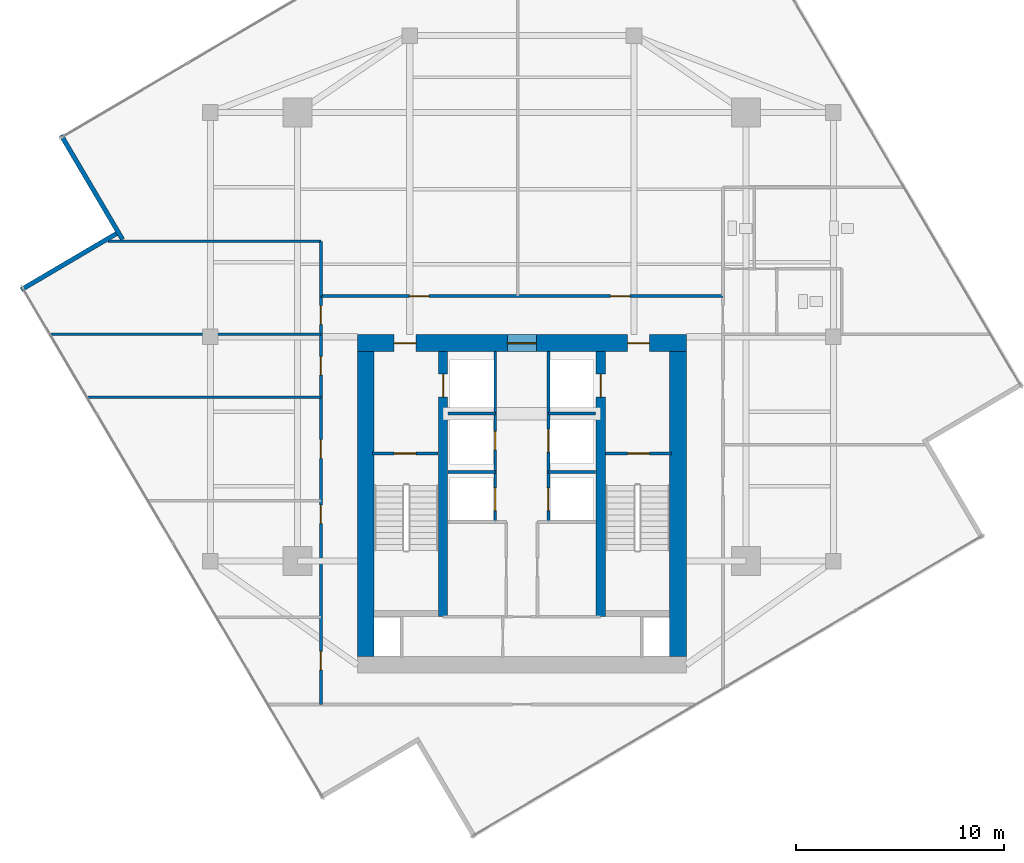
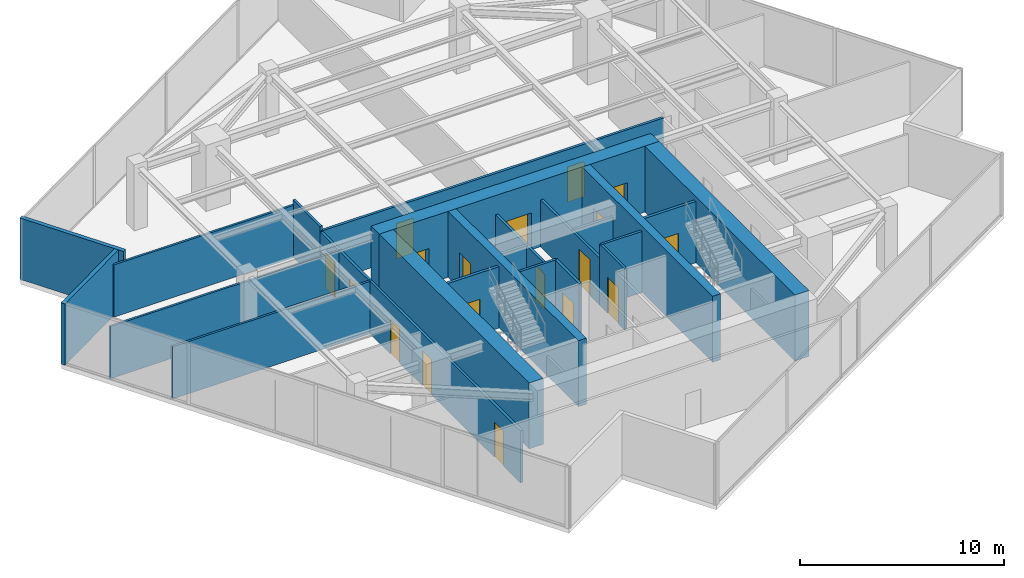
# One storey, part 17 of 20: 23 walls, 18 doors, 18 openings.
"""IFC4 building model written with IfcOpenShell, lengths in metres."""

import ifcopenshell
import ifcopenshell.guid

model = None  # the IFC model being written
_history = None  # IfcOwnerHistory: only IFC2X3 demands one
_inside = {}  # id of a spatial element -> (the spatial element, [elements in it])
_under = {}  # id of a project, library or spatial element -> (it, [spatial elements below it])
_declared = {}  # id of a project -> (the project, [libraries it declares])
_typed = {}  # id of a type object -> (the type object, [elements of that type])
_made_of = {}  # id of a material, layer set ... -> (it, [elements and type objects made of it])


def new_model(schema):
    """Start an empty IFC model of exactly this schema.

    Asked for "IFC4X3", IfcOpenShell would pick the latest addendum, in which some entities
    have other attributes; the version numbers below select the first issue.
    IFC2X3 requires an IfcOwnerHistory on every rooted entity: one is made here for all.
    """
    global model, _history
    if schema == "IFC4X3":
        model = ifcopenshell.file(schema_version=(4, 3, 0, 0))
    else:
        model = ifcopenshell.file(schema=schema)
    _inside.clear()
    _under.clear()
    _declared.clear()
    _typed.clear()
    _made_of.clear()
    _history = None
    if model.schema == "IFC2X3":
        org = make("IfcOrganization", Name="unknown")
        user = make(
            "IfcPersonAndOrganization",
            ThePerson=make("IfcPerson", FamilyName="unknown"),
            TheOrganization=org,
        )
        app = make(
            "IfcApplication",
            ApplicationDeveloper=org,
            Version="unknown",
            ApplicationFullName="unknown",
            ApplicationIdentifier="unknown",
        )
        _history = make(
            "IfcOwnerHistory",
            OwningUser=user,
            OwningApplication=app,
            ChangeAction="ADDED",
            CreationDate=0,
        )
    return model


def make(cls, **values):
    """One entity of the class cls with the attributes given. An attribute that is None is left unset."""
    return model.create_entity(
        cls, **{name: value for name, value in values.items() if value is not None}
    )


def rooted(cls, **values):
    """An entity with a GlobalId (a new one), such as an element, a storey or a relation."""
    return make(cls, GlobalId=ifcopenshell.guid.new(), OwnerHistory=_history, **values)


def si_unit(unit_type, name, prefix=None):
    """IfcSIUnit, for example si_unit("LENGTHUNIT", "METRE", prefix="MILLI")."""
    return make("IfcSIUnit", UnitType=unit_type, Prefix=prefix, Name=name)


def assignment(units):
    """IfcUnitAssignment: the units of a project."""
    return None if units is None else make("IfcUnitAssignment", Units=units)


def point(xyz):
    """IfcCartesianPoint."""
    return None if xyz is None else make("IfcCartesianPoint", Coordinates=xyz)


def direction(xyz):
    """IfcDirection."""
    return None if xyz is None else make("IfcDirection", DirectionRatios=xyz)


def frame(location, z_axis=None, x_axis=None):
    """IfcAxis2Placement3D, a coordinate frame: its origin and axes. An axis left out is left unset."""
    return make(
        "IfcAxis2Placement3D",
        Location=point(location),
        Axis=direction(z_axis),
        RefDirection=direction(x_axis),
    )


def frame_2d(location, x_axis=None):
    """IfcAxis2Placement2D, a coordinate frame in the plane: its origin and x axis."""
    return make(
        "IfcAxis2Placement2D", Location=point(location), RefDirection=direction(x_axis)
    )


def origin():
    """The frame at (0, 0, 0) with its axes left unset."""
    return frame((0.0, 0.0, 0.0))


def place(relative_to, where):
    """IfcLocalPlacement: puts the frame where relative to a parent placement (None: the world)."""
    return make(
        "IfcLocalPlacement", PlacementRelTo=relative_to, RelativePlacement=where
    )


def context(
    kind, dimensions, precision=None, world=None, true_north=None, identifier=None
):
    """IfcGeometricRepresentationContext, for example the 3D "Model" context."""
    return make(
        "IfcGeometricRepresentationContext",
        ContextIdentifier=identifier,
        ContextType=kind,
        CoordinateSpaceDimension=dimensions,
        Precision=precision,
        WorldCoordinateSystem=world,
        TrueNorth=true_north,
    )


def subcontext(parent, identifier, kind, view, scale=None):
    """IfcGeometricRepresentationSubContext, for example "Body" below "Model"."""
    return make(
        "IfcGeometricRepresentationSubContext",
        ContextIdentifier=identifier,
        ContextType=kind,
        ParentContext=parent,
        TargetScale=scale,
        TargetView=view,
    )


def project(units=None, contexts=None):
    """IfcProject with its units and contexts."""
    return rooted(
        "IfcProject",
        Name="project",
        RepresentationContexts=contexts,
        UnitsInContext=assignment(units),
    )


def spatial(cls, under=None, at=None, **own):
    """A site, building, storey or space (cls), placed at a placement, below another one or the project."""
    s = rooted(cls, ObjectPlacement=at, **own)
    if under is not None:
        _under.setdefault(under.id(), (under, []))[1].append(s)
    return s


def profile(cls, at=None, kind="AREA", **sizes):
    """A parametric profile (cls). Its sizes go by their IFC names, for example OverallWidth=200.0."""
    return make(cls, ProfileType=kind, Position=at, **sizes)


def rectangle(**sizes):
    """IfcRectangleProfileDef."""
    return profile("IfcRectangleProfileDef", **sizes)


def extrude(swept, where, along, depth):
    """IfcExtrudedAreaSolid: the profile swept, set in the frame where, extruded along a direction by depth."""
    return make(
        "IfcExtrudedAreaSolid",
        SweptArea=swept,
        Position=where,
        ExtrudedDirection=direction(along),
        Depth=depth,
    )


def shape(context_of_items, identifier, shape_type, items):
    """IfcShapeRepresentation: the items that make up one representation, for example the "Body"."""
    return make(
        "IfcShapeRepresentation",
        ContextOfItems=context_of_items,
        RepresentationIdentifier=identifier,
        RepresentationType=shape_type,
        Items=items,
    )


def material(Name=None, Category=None):
    """IfcMaterial."""
    return make("IfcMaterial", Name=Name, Category=Category)


def layer(
    of_material, thickness, ventilated=None, Name=None, Category=None, Priority=None
):
    """IfcMaterialLayer: one layer of a wall or slab, of a material (None: an air gap)."""
    return make(
        "IfcMaterialLayer",
        Material=of_material,
        LayerThickness=thickness,
        IsVentilated=ventilated,
        Name=Name,
        Category=Category,
        Priority=Priority,
    )


def layer_set(layers, Name=None):
    """IfcMaterialLayerSet."""
    return make("IfcMaterialLayerSet", MaterialLayers=layers, LayerSetName=Name)


def made_of(thing, what):
    """Note that an element or type object is made of a material, layer set ...; save() writes the relation."""
    if what is not None:
        _made_of.setdefault(what.id(), (what, []))[1].append(thing)
    return thing


def type_object(cls, material=None, **own):
    """A type object (cls), such as IfcWallType, which elements share."""
    return made_of(rooted(cls, **own), material)


def element(
    cls,
    number,
    at=None,
    inside=None,
    cuts=None,
    type_object=None,
    material=None,
    context=None,
    identifier="Body",
    shape_type=None,
    held_by="IfcProductDefinitionShape",
    body=None,
    shapes=None,
    **own,
):
    """One element of the class cls, such as IfcWall. Its Tag is "e" and its number.

    at: its placement. inside: the storey or other place that contains it. cuts: it is an
    opening in that element (IfcRelVoidsElement). A single representation is given by context,
    identifier, shape_type and body (its items); several are given by shapes. held_by: the class
    of the entity that holds the representations. save() writes the other relations.
    """
    e = rooted(cls, Tag="e%d" % number, ObjectPlacement=at, **own)
    if body is not None:
        shapes = [shape(context, identifier, shape_type, body)]
    if shapes is not None:
        e.Representation = make(held_by, Representations=shapes)
    if inside is not None:
        _inside.setdefault(inside.id(), (inside, []))[1].append(e)
    if cuts is not None:
        rooted(
            "IfcRelVoidsElement", RelatingBuildingElement=cuts, RelatedOpeningElement=e
        )
    if type_object is not None:
        _typed.setdefault(type_object.id(), (type_object, []))[1].append(e)
    return made_of(e, material)


def fill(opening, filler):
    """IfcRelFillsElement: the door or window that sits in an opening."""
    return rooted(
        "IfcRelFillsElement",
        RelatingOpeningElement=opening,
        RelatedBuildingElement=filler,
    )


def aggregate(whole, parts):
    """IfcRelAggregates: a whole, such as a stair, and the parts it consists of."""
    return rooted("IfcRelAggregates", RelatingObject=whole, RelatedObjects=parts)


def save(model, path):
    """Write the relations noted so far, then the file.

    IfcRelAggregates (storeys below a building ...), IfcRelContainedInSpatialStructure (elements
    in a storey), IfcRelDefinesByType, IfcRelAssociatesMaterial and IfcRelDeclares: one each for
    every whole, place, type object, material and project.
    """
    for whole, parts in _under.values():
        aggregate(whole, parts)
    for where, things in _inside.values():
        rooted(
            "IfcRelContainedInSpatialStructure",
            RelatedElements=things,
            RelatingStructure=where,
        )
    for kind, things in _typed.values():
        rooted("IfcRelDefinesByType", RelatedObjects=things, RelatingType=kind)
    for what, things in _made_of.values():
        rooted("IfcRelAssociatesMaterial", RelatedObjects=things, RelatingMaterial=what)
    for by, libraries in _declared.values():
        rooted("IfcRelDeclares", RelatingContext=by, RelatedDefinitions=libraries)
    model.write(path)


model = new_model("IFC4")

# Units and contexts
model_context = context("Model", 3, precision=1e-05, world=origin(), true_north=direction((0.0, 1.0)))
body_context = subcontext(model_context, "Body", "Model", "MODEL_VIEW")
ifc_project = project(units=[si_unit("LENGTHUNIT", "METRE"), si_unit("AREAUNIT", "SQUARE_METRE"), si_unit("VOLUMEUNIT", "CUBIC_METRE"), si_unit("PLANEANGLEUNIT", "RADIAN"), si_unit("MASSUNIT", "GRAM", prefix="KILO")], contexts=[model_context])

# Site, building, storey
site_placement = place(None, origin())
site = spatial("IfcSite", under=ifc_project, at=site_placement, CompositionType="ELEMENT")
building_placement = place(site_placement, origin())
building = spatial("IfcBuilding", under=site, at=building_placement, Name="Krantzveldt Concourse Tower", CompositionType="ELEMENT")
storey_placement = place(building_placement, frame((0.0, 0.0, 295.050048828125)))
storey = spatial("IfcBuildingStorey", under=building, at=storey_placement, Name="L72", CompositionType="ELEMENT", Elevation=295.050048828125)

# Walls
ifc_material_1 = material(Name="Anodised aluminium 6063-T6", Category="aluminium")
ifc_layer_1 = layer(ifc_material_1, 0.219970703125, Name="Anodised aluminium 6063-T6", Category="aluminium")
ifc_layer_set_1 = layer_set([ifc_layer_1], Name="Anodised aluminium 6063-T6 (WL-EXT-NOTCH220)")
wall_type_1 = type_object("IfcWallType", Name="WL-EXT-NOTCH220", PredefinedType="ELEMENTEDWALL", material=ifc_layer_set_1)
wall_1_placement = place(storey_placement, frame((13.81298828125, 36.407470703125, 0.0), z_axis=(0.0, 0.0, 1.0), x_axis=(0.507550761113, -0.861621857252, 0.0)))
element("IfcWall", 1, at=wall_1_placement, inside=storey, type_object=wall_type_1, Name="EW-L72-NCH02", PredefinedType="ELEMENTEDWALL", context=body_context, shape_type="SweptSolid", body=[
    extrude(rectangle(XDim=5.829833984375, YDim=0.219970703125, at=frame_2d((2.9150390625, 0.0))), origin(), (0.0, 0.0, 1.0), 3.669921875),
])
wall_2_placement = place(storey_placement, frame((16.476806640625, 31.668701171875, 0.0), z_axis=(0.0, 0.0, 1.0), x_axis=(-0.861627616465, -0.507540984104, 0.0)))
element("IfcWall", 2, at=wall_2_placement, inside=storey, type_object=wall_type_1, Name="EW-L72-NCH03", PredefinedType="ELEMENTEDWALL", context=body_context, shape_type="SweptSolid", body=[
    extrude(rectangle(XDim=5.324951171875, YDim=0.219970703125, at=frame_2d((2.66259765625, 0.0))), origin(), (0.0, 0.0, 1.0), 3.669921875),
])
ifc_material_2 = material(Name="Fire-rated gypsum plasterboard on steel stud", Category="steel")
ifc_layer_2 = layer(ifc_material_2, 0.1201171875, Name="Fire-rated gypsum plasterboard on steel stud", Category="steel")
ifc_layer_set_2 = layer_set([ifc_layer_2], Name="Fire-rated gypsum plasterboard on steel stud (WL-PART-120)")
wall_type_2 = type_object("IfcWallType", Name="WL-PART-120", PredefinedType="PARTITIONING", material=ifc_layer_set_2)
wall_3_placement = place(storey_placement, frame((13.2861328125, 26.820068359375, 0.0), z_axis=(0.0, 0.0, 1.0), x_axis=(1.0, 0.0, 0.0)))
element("IfcWall", 3, at=wall_3_placement, inside=storey, type_object=wall_type_2, Name="WP-L72-PNTS", PredefinedType="PARTITIONING", context=body_context, shape_type="SweptSolid", body=[
    extrude(rectangle(XDim=13.033935546875, YDim=0.1201171875, at=frame_2d((6.51708984375, 0.0))), origin(), (0.0, 0.0, 1.0), 3.1298828125),
])
wall_4_placement = place(storey_placement, frame((16.077392578125, 31.300048828125, 0.0), z_axis=(0.0, 0.0, 1.0), x_axis=(1.0, 0.0, 0.0)))
element("IfcWall", 4, at=wall_4_placement, inside=storey, type_object=wall_type_2, Name="WP-L72-PNTN", PredefinedType="PARTITIONING", context=body_context, shape_type="SweptSolid", body=[
    extrude(rectangle(XDim=10.24267578125, YDim=0.1201171875, at=frame_2d((5.121337890625, 0.0))), origin(), (0.0, 0.0, 1.0), 3.1298828125),
])
wall_5_placement = place(storey_placement, frame((15.065185546875, 23.800048828125, 0.0), z_axis=(0.0, 0.0, 1.0), x_axis=(1.0, 0.0, 0.0)))
element("IfcWall", 5, at=wall_5_placement, inside=storey, type_object=wall_type_2, Name="WP-L72-WD3", PredefinedType="PARTITIONING", context=body_context, shape_type="SweptSolid", body=[
    extrude(rectangle(XDim=11.2548828125, YDim=0.1201171875, at=frame_2d((5.62744140625, 0.0))), origin(), (0.0, 0.0, 1.0), 3.1298828125),
])

# Wall, openings, doors
ifc_layer_3 = layer(ifc_material_2, 0.139892578125, Name="Fire-rated gypsum plasterboard on steel stud", Category="steel")
ifc_layer_set_3 = layer_set([ifc_layer_3], Name="Fire-rated gypsum plasterboard on steel stud (WL-PART-140)")
wall_type_3 = type_object("IfcWallType", Name="WL-PART-140", PredefinedType="PARTITIONING", material=ifc_layer_set_3)
wall_6_placement = place(storey_placement, frame((26.320068359375, 28.659912109375, 0.0), z_axis=(0.0, 0.0, 1.0), x_axis=(1.0, 0.0, 0.0)))
wall_6 = element("IfcWall", 6, at=wall_6_placement, inside=storey, type_object=wall_type_3, Name="WP-L72-CNHDR", PredefinedType="PARTITIONING", context=body_context, shape_type="SweptSolid", body=[
    extrude(rectangle(XDim=19.35986328125, YDim=0.139892578125, at=frame_2d((9.679931640625, 0.0))), origin(), (0.0, 0.0, 1.0), 3.179931640625),
])
opening_1_placement = place(wall_6_placement, frame((4.264892578125, 0.0, 0.0)))
opening_1 = element("IfcOpeningElement", 7, at=opening_1_placement, cuts=wall_6, Name="Opening D-IN095", PredefinedType="OPENING", context=body_context, shape_type="SweptSolid", body=[
    extrude(rectangle(XDim=0.949951171875, YDim=2.10009765625, at=frame_2d((0.47509765625, 1.050048828125))), frame((0.0, 0.080078125, 0.0), z_axis=(0.0, -1.0, 0.0), x_axis=(1.0, 0.0, 0.0)), (0.0, 0.0, 1.0), 0.159912109375),
])
opening_2_placement = place(wall_6_placement, frame((13.945068359375, 0.0, 0.0)))
opening_2 = element("IfcOpeningElement", 8, at=opening_2_placement, cuts=wall_6, Name="Opening D-IN095", PredefinedType="OPENING", context=body_context, shape_type="SweptSolid", body=[
    extrude(rectangle(XDim=0.949951171875, YDim=2.10009765625, at=frame_2d((0.47509765625, 1.050048828125))), frame((0.0, 0.080078125, 0.0), z_axis=(0.0, -1.0, 0.0), x_axis=(1.0, 0.0, 0.0)), (0.0, 0.0, 1.0), 0.159912109375),
])
ifc_material_3 = material(Name="Hardwood timber", Category="wood")
door_type_1 = type_object("IfcDoorType", Name="DR-INT-950", OperationType="SINGLE_SWING_LEFT", PredefinedType="DOOR", material=ifc_material_3)
door_1_placement = place(opening_1_placement, origin())
door_1 = element("IfcDoor", 9, at=door_1_placement, inside=storey, type_object=door_type_1, Name="DR-L72-NR1", OperationType="SINGLE_SWING_LEFT", OverallHeight=2.10009765625, OverallWidth=0.949951171875, PredefinedType="DOOR", context=body_context, shape_type="SweptSolid", body=[
    extrude(rectangle(XDim=0.949951171875, YDim=2.10009765625, at=frame_2d((0.47509765625, 1.050048828125))), frame((0.0, 0.02490234375, 0.0), z_axis=(0.0, -1.0, 0.0), x_axis=(1.0, 0.0, 0.0)), (0.0, 0.0, 1.0), 0.050048828125),
])
fill(opening_1, door_1)
door_2_placement = place(opening_2_placement, origin())
door_2 = element("IfcDoor", 10, at=door_2_placement, inside=storey, type_object=door_type_1, Name="DR-L72-NR2", OperationType="SINGLE_SWING_LEFT", OverallHeight=2.10009765625, OverallWidth=0.949951171875, PredefinedType="DOOR", context=body_context, shape_type="SweptSolid", body=[
    extrude(rectangle(XDim=0.949951171875, YDim=2.10009765625, at=frame_2d((0.47509765625, 1.050048828125))), frame((0.0, 0.02490234375, 0.0), z_axis=(0.0, -1.0, 0.0), x_axis=(1.0, 0.0, 0.0)), (0.0, 0.0, 1.0), 0.050048828125),
])
fill(opening_2, door_2)

wall_7_placement = place(storey_placement, frame((26.320068359375, 9.0, 0.0), z_axis=(0.0, 0.0, 1.0), x_axis=(0.0, 1.0, 0.0)))
wall_7 = element("IfcWall", 11, at=wall_7_placement, inside=storey, type_object=wall_type_3, Name="WP-L72-CWEST", PredefinedType="PARTITIONING", context=body_context, shape_type="SweptSolid", body=[
    extrude(rectangle(XDim=19.659912109375, YDim=0.139892578125, at=frame_2d((9.830078125, 0.0))), origin(), (0.0, 0.0, 1.0), 3.1298828125),
])
opening_3_placement = place(wall_7_placement, frame((18.300048828125, 0.0, 0.0)))
opening_3 = element("IfcOpeningElement", 12, at=opening_3_placement, cuts=wall_7, Name="Opening D-IN090", PredefinedType="OPENING", context=body_context, shape_type="SweptSolid", body=[
    extrude(rectangle(XDim=0.89990234375, YDim=2.10009765625, at=frame_2d((0.449951171875, 1.050048828125))), frame((0.0, 0.080078125, 0.0), z_axis=(0.0, -1.0, 0.0), x_axis=(1.0, 0.0, 0.0)), (0.0, 0.0, 1.0), 0.159912109375),
])
opening_4_placement = place(wall_7_placement, frame((1.64990234375, 0.0, 0.0)))
opening_4 = element("IfcOpeningElement", 13, at=opening_4_placement, cuts=wall_7, Name="Opening D-IN090", PredefinedType="OPENING", context=body_context, shape_type="SweptSolid", body=[
    extrude(rectangle(XDim=0.89990234375, YDim=2.10009765625, at=frame_2d((0.449951171875, 1.050048828125))), frame((0.0, 0.080078125, 0.0), z_axis=(0.0, -1.0, 0.0), x_axis=(1.0, 0.0, 0.0)), (0.0, 0.0, 1.0), 0.159912109375),
])
opening_5_placement = place(wall_7_placement, frame((8.699951171875, 0.0, 0.0)))
opening_5 = element("IfcOpeningElement", 14, at=opening_5_placement, cuts=wall_7, Name="Opening D-IN090", PredefinedType="OPENING", context=body_context, shape_type="SweptSolid", body=[
    extrude(rectangle(XDim=0.89990234375, YDim=2.10009765625, at=frame_2d((0.449951171875, 1.050048828125))), frame((0.0, 0.080078125, 0.0), z_axis=(0.0, -1.0, 0.0), x_axis=(1.0, 0.0, 0.0)), (0.0, 0.0, 1.0), 0.159912109375),
])
opening_6_placement = place(wall_7_placement, frame((11.85009765625, 0.0, 0.0)))
opening_6 = element("IfcOpeningElement", 15, at=opening_6_placement, cuts=wall_7, Name="Opening D-IN090", PredefinedType="OPENING", context=body_context, shape_type="SweptSolid", body=[
    extrude(rectangle(XDim=0.89990234375, YDim=2.10009765625, at=frame_2d((0.449951171875, 1.050048828125))), frame((0.0, 0.080078125, 0.0), z_axis=(0.0, -1.0, 0.0), x_axis=(1.0, 0.0, 0.0)), (0.0, 0.0, 1.0), 0.159912109375),
])
opening_7_placement = place(wall_7_placement, frame((15.860107421875, 0.0, 0.0)))
opening_7 = element("IfcOpeningElement", 16, at=opening_7_placement, cuts=wall_7, Name="Opening D-IN090", PredefinedType="OPENING", context=body_context, shape_type="SweptSolid", body=[
    extrude(rectangle(XDim=0.89990234375, YDim=2.10009765625, at=frame_2d((0.449951171875, 1.050048828125))), frame((0.0, 0.080078125, 0.0), z_axis=(0.0, -1.0, 0.0), x_axis=(1.0, 0.0, 0.0)), (0.0, 0.0, 1.0), 0.159912109375),
])
door_type_2 = type_object("IfcDoorType", Name="DR-INT-900", OperationType="SINGLE_SWING_LEFT", PredefinedType="DOOR", material=ifc_material_3)
door_3_placement = place(opening_3_placement, origin())
door_3 = element("IfcDoor", 17, at=door_3_placement, inside=storey, type_object=door_type_2, Name="DR-L72-PNT", OperationType="SINGLE_SWING_LEFT", OverallHeight=2.10009765625, OverallWidth=0.89990234375, PredefinedType="DOOR", context=body_context, shape_type="SweptSolid", body=[
    extrude(rectangle(XDim=0.89990234375, YDim=2.10009765625, at=frame_2d((0.449951171875, 1.050048828125))), frame((0.0, 0.02490234375, 0.0), z_axis=(0.0, -1.0, 0.0), x_axis=(1.0, 0.0, 0.0)), (0.0, 0.0, 1.0), 0.050048828125),
])
fill(opening_3, door_3)
door_4_placement = place(opening_4_placement, origin())
door_4 = element("IfcDoor", 18, at=door_4_placement, inside=storey, type_object=door_type_2, Name="DR-L72-WR1", OperationType="SINGLE_SWING_LEFT", OverallHeight=2.10009765625, OverallWidth=0.89990234375, PredefinedType="DOOR", context=body_context, shape_type="SweptSolid", body=[
    extrude(rectangle(XDim=0.89990234375, YDim=2.10009765625, at=frame_2d((0.449951171875, 1.050048828125))), frame((0.0, 0.02490234375, 0.0), z_axis=(0.0, -1.0, 0.0), x_axis=(1.0, 0.0, 0.0)), (0.0, 0.0, 1.0), 0.050048828125),
])
fill(opening_4, door_4)
door_5_placement = place(opening_5_placement, origin())
door_5 = element("IfcDoor", 19, at=door_5_placement, inside=storey, type_object=door_type_2, Name="DR-L72-WR2", OperationType="SINGLE_SWING_LEFT", OverallHeight=2.10009765625, OverallWidth=0.89990234375, PredefinedType="DOOR", context=body_context, shape_type="SweptSolid", body=[
    extrude(rectangle(XDim=0.89990234375, YDim=2.10009765625, at=frame_2d((0.449951171875, 1.050048828125))), frame((0.0, 0.02490234375, 0.0), z_axis=(0.0, -1.0, 0.0), x_axis=(1.0, 0.0, 0.0)), (0.0, 0.0, 1.0), 0.050048828125),
])
fill(opening_5, door_5)
door_6_placement = place(opening_6_placement, origin())
door_6 = element("IfcDoor", 20, at=door_6_placement, inside=storey, type_object=door_type_2, Name="DR-L72-WR3", OperationType="SINGLE_SWING_LEFT", OverallHeight=2.10009765625, OverallWidth=0.89990234375, PredefinedType="DOOR", context=body_context, shape_type="SweptSolid", body=[
    extrude(rectangle(XDim=0.89990234375, YDim=2.10009765625, at=frame_2d((0.449951171875, 1.050048828125))), frame((0.0, 0.02490234375, 0.0), z_axis=(0.0, -1.0, 0.0), x_axis=(1.0, 0.0, 0.0)), (0.0, 0.0, 1.0), 0.050048828125),
])
fill(opening_6, door_6)
door_7_placement = place(opening_7_placement, origin())
door_7 = element("IfcDoor", 21, at=door_7_placement, inside=storey, type_object=door_type_2, Name="DR-L72-WR4", OperationType="SINGLE_SWING_LEFT", OverallHeight=2.10009765625, OverallWidth=0.89990234375, PredefinedType="DOOR", context=body_context, shape_type="SweptSolid", body=[
    extrude(rectangle(XDim=0.89990234375, YDim=2.10009765625, at=frame_2d((0.449951171875, 1.050048828125))), frame((0.0, 0.02490234375, 0.0), z_axis=(0.0, -1.0, 0.0), x_axis=(1.0, 0.0, 0.0)), (0.0, 0.0, 1.0), 0.050048828125),
])
fill(opening_7, door_7)

# Wall
wall_8_placement = place(storey_placement, frame((26.320068359375, 28.659912109375, 0.0), z_axis=(0.0, 0.0, 1.0), x_axis=(0.0, 1.0, 0.0)))
element("IfcWall", 22, at=wall_8_placement, inside=storey, type_object=wall_type_3, Name="WP-L72-NWL", PredefinedType="PARTITIONING", context=body_context, shape_type="SweptSolid", body=[
    extrude(rectangle(XDim=2.64013671875, YDim=0.139892578125, at=frame_2d((1.320068359375, 0.0))), origin(), (0.0, 0.0, 1.0), 3.429931640625),
])

# Wall, opening, door
ifc_layer_4 = layer(ifc_material_2, 0.139892578125, Name="Fire-rated gypsum plasterboard on steel stud", Category="steel")
ifc_layer_set_4 = layer_set([ifc_layer_4], Name="Fire-rated gypsum plasterboard on steel stud (WL-PART-FR140)")
wall_type_4 = type_object("IfcWallType", Name="WL-PART-FR140", PredefinedType="PARTITIONING", material=ifc_layer_set_4)
wall_9_placement = place(storey_placement, frame((34.719970703125, 20.199951171875, 0.0), z_axis=(0.0, 0.0, 1.0), x_axis=(0.0, 1.0, 0.0)))
wall_9 = element("IfcWall", 23, at=wall_9_placement, inside=storey, type_object=wall_type_4, Name="WP-L72-SHNW", PredefinedType="PARTITIONING", context=body_context, shape_type="SweptSolid", body=[
    extrude(rectangle(XDim=5.780029296875, YDim=0.139892578125, at=frame_2d((2.89013671875, 0.0))), origin(), (0.0, 0.0, 1.0), 2.820068359375),
])
opening_8_placement = place(wall_9_placement, frame((1.050048828125, 0.0, 0.0)))
opening_8 = element("IfcOpeningElement", 24, at=opening_8_placement, cuts=wall_9, Name="Opening D-FD090", PredefinedType="OPENING", context=body_context, shape_type="SweptSolid", body=[
    extrude(rectangle(XDim=0.89990234375, YDim=2.10009765625, at=frame_2d((0.449951171875, 1.050048828125))), frame((0.0, 0.080078125, 0.0), z_axis=(0.0, -1.0, 0.0), x_axis=(1.0, 0.0, 0.0)), (0.0, 0.0, 1.0), 0.159912109375),
])
door_type_3 = type_object("IfcDoorType", Name="DR-FD60-900", OperationType="SINGLE_SWING_LEFT", PredefinedType="DOOR", material=ifc_material_3)
door_8_placement = place(opening_8_placement, origin())
door_8 = element("IfcDoor", 25, at=door_8_placement, inside=storey, type_object=door_type_3, Name="Electrical Riser Access Door L72", OperationType="SINGLE_SWING_LEFT", OverallHeight=2.10009765625, OverallWidth=0.89990234375, PredefinedType="DOOR", context=body_context, shape_type="SweptSolid", body=[
    extrude(rectangle(XDim=0.89990234375, YDim=2.10009765625, at=frame_2d((0.449951171875, 1.050048828125))), frame((0.0, 0.02490234375, 0.0), z_axis=(0.0, -1.0, 0.0), x_axis=(1.0, 0.0, 0.0)), (0.0, 0.0, 1.0), 0.050048828125),
])
fill(opening_8, door_8)

wall_10_placement = place(storey_placement, frame((37.280029296875, 20.199951171875, 0.0), z_axis=(0.0, 0.0, 1.0), x_axis=(0.0, 1.0, 0.0)))
wall_10 = element("IfcWall", 26, at=wall_10_placement, inside=storey, type_object=wall_type_4, Name="WP-L72-SHNE", PredefinedType="PARTITIONING", context=body_context, shape_type="SweptSolid", body=[
    extrude(rectangle(XDim=5.780029296875, YDim=0.139892578125, at=frame_2d((2.89013671875, 0.0))), origin(), (0.0, 0.0, 1.0), 2.820068359375),
])
opening_9_placement = place(wall_10_placement, frame((0.949951171875, 0.0, 0.0)))
opening_9 = element("IfcOpeningElement", 27, at=opening_9_placement, cuts=wall_10, Name="Opening LD", PredefinedType="OPENING", context=body_context, shape_type="SweptSolid", body=[
    extrude(rectangle(XDim=1.10009765625, YDim=2.14990234375, at=frame_2d((0.550048828125, 1.074951171875))), frame((0.0, 0.080078125, 0.0), z_axis=(0.0, -1.0, 0.0), x_axis=(1.0, 0.0, 0.0)), (0.0, 0.0, 1.0), 0.159912109375),
])
ifc_material_4 = material(Name="Stainless steel 316L", Category="steel")
door_type_4 = type_object("IfcDoorType", Name="DR-SLIDE-LD1100", OperationType="DOUBLE_DOOR_SLIDING", PredefinedType="DOOR", material=ifc_material_4)
door_9_placement = place(opening_9_placement, origin())
door_9 = element("IfcDoor", 28, at=door_9_placement, inside=storey, type_object=door_type_4, Name="LD-L72-GL1", OperationType="DOUBLE_DOOR_SLIDING", OverallHeight=2.14990234375, OverallWidth=1.10009765625, PredefinedType="DOOR", context=body_context, shape_type="SweptSolid", body=[
    extrude(rectangle(XDim=1.10009765625, YDim=2.14990234375, at=frame_2d((0.550048828125, 1.074951171875))), frame((0.0, 0.02490234375, 0.0), z_axis=(0.0, -1.0, 0.0), x_axis=(1.0, 0.0, 0.0)), (0.0, 0.0, 1.0), 0.050048828125),
])
fill(opening_9, door_9)

# Walls
for number, where, z_axis, x_axis, name in (
    (29, (32.449951171875, 23.0, 0.0), (0.0, 0.0, 1.0), (1.0, 0.0, 0.0), "WP-L72-RISH"),
    (30, (37.280029296875, 23.0, 0.0), (0.0, 0.0, 1.0), (1.0, 0.0, 0.0), "WP-L72-GLH"),
):
    element("IfcWall", number, at=place(storey_placement, frame(where, z_axis=z_axis, x_axis=x_axis)), inside=storey, type_object=wall_type_4, Name=name, PredefinedType="PARTITIONING", context=body_context, shape_type="SweptSolid", body=[
        extrude(rectangle(XDim=2.27001953125, YDim=0.139892578125, at=frame_2d((1.135009765625, 0.0))), origin(), (0.0, 0.0, 1.0), 2.820068359375),
    ])

# Wall, opening, door
wall_11_placement = place(storey_placement, frame((34.719970703125, 17.780029296875, 0.0), z_axis=(0.0, 0.0, 1.0), x_axis=(0.0, 1.0, 0.0)))
wall_11 = element("IfcWall", 31, at=wall_11_placement, inside=storey, type_object=wall_type_4, Name="WP-L72-SHNW2", PredefinedType="PARTITIONING", context=body_context, shape_type="SweptSolid", body=[
    extrude(rectangle(XDim=2.419921875, YDim=0.139892578125, at=frame_2d((1.2099609375, 0.0))), origin(), (0.0, 0.0, 1.0), 3.669921875),
])
opening_10_placement = place(wall_11_placement, frame((0.550048828125, 0.0, 0.0)))
opening_10 = element("IfcOpeningElement", 32, at=opening_10_placement, cuts=wall_11, Name="Opening LD", PredefinedType="OPENING", context=body_context, shape_type="SweptSolid", body=[
    extrude(rectangle(XDim=1.10009765625, YDim=2.14990234375, at=frame_2d((0.550048828125, 1.074951171875))), frame((0.0, 0.080078125, 0.0), z_axis=(0.0, -1.0, 0.0), x_axis=(1.0, 0.0, 0.0)), (0.0, 0.0, 1.0), 0.159912109375),
])
door_10_placement = place(opening_10_placement, origin())
door_10 = element("IfcDoor", 33, at=door_10_placement, inside=storey, type_object=door_type_4, Name="LD-L72-PH1", OperationType="DOUBLE_DOOR_SLIDING", OverallHeight=2.14990234375, OverallWidth=1.10009765625, PredefinedType="DOOR", context=body_context, shape_type="SweptSolid", body=[
    extrude(rectangle(XDim=1.10009765625, YDim=2.14990234375, at=frame_2d((0.550048828125, 1.074951171875))), frame((0.0, 0.02490234375, 0.0), z_axis=(0.0, -1.0, 0.0), x_axis=(1.0, 0.0, 0.0)), (0.0, 0.0, 1.0), 0.050048828125),
])
fill(opening_10, door_10)

wall_12_placement = place(storey_placement, frame((37.280029296875, 17.780029296875, 0.0), z_axis=(0.0, 0.0, 1.0), x_axis=(0.0, 1.0, 0.0)))
wall_12 = element("IfcWall", 34, at=wall_12_placement, inside=storey, type_object=wall_type_4, Name="WP-L72-SHNE2", PredefinedType="PARTITIONING", context=body_context, shape_type="SweptSolid", body=[
    extrude(rectangle(XDim=2.419921875, YDim=0.139892578125, at=frame_2d((1.2099609375, 0.0))), origin(), (0.0, 0.0, 1.0), 3.669921875),
])
opening_11_placement = place(wall_12_placement, frame((0.550048828125, 0.0, 0.0)))
opening_11 = element("IfcOpeningElement", 35, at=opening_11_placement, cuts=wall_12, Name="Opening LD", PredefinedType="OPENING", context=body_context, shape_type="SweptSolid", body=[
    extrude(rectangle(XDim=1.10009765625, YDim=2.14990234375, at=frame_2d((0.550048828125, 1.074951171875))), frame((0.0, 0.080078125, 0.0), z_axis=(0.0, -1.0, 0.0), x_axis=(1.0, 0.0, 0.0)), (0.0, 0.0, 1.0), 0.159912109375),
])
door_11_placement = place(opening_11_placement, origin())
door_11 = element("IfcDoor", 36, at=door_11_placement, inside=storey, type_object=door_type_4, Name="LD-L72-PH2", OperationType="DOUBLE_DOOR_SLIDING", OverallHeight=2.14990234375, OverallWidth=1.10009765625, PredefinedType="DOOR", context=body_context, shape_type="SweptSolid", body=[
    extrude(rectangle(XDim=1.10009765625, YDim=2.14990234375, at=frame_2d((0.550048828125, 1.074951171875))), frame((0.0, 0.02490234375, 0.0), z_axis=(0.0, -1.0, 0.0), x_axis=(1.0, 0.0, 0.0)), (0.0, 0.0, 1.0), 0.050048828125),
])
fill(opening_11, door_11)

# Walls
for number, where, z_axis, x_axis, name in (
    (37, (32.449951171875, 20.179931640625, 0.0), (0.0, 0.0, 1.0), (1.0, 0.0, 0.0), "WP-L72-DIVW3"),
    (38, (37.280029296875, 20.179931640625, 0.0), (0.0, 0.0, 1.0), (1.0, 0.0, 0.0), "WP-L72-DIVE3"),
):
    element("IfcWall", number, at=place(storey_placement, frame(where, z_axis=z_axis, x_axis=x_axis)), inside=storey, type_object=wall_type_4, Name=name, PredefinedType="PARTITIONING", context=body_context, shape_type="SweptSolid", body=[
        extrude(rectangle(XDim=2.27001953125, YDim=0.139892578125, at=frame_2d((1.135009765625, 0.0))), origin(), (0.0, 0.0, 1.0), 3.669921875),
    ])

# Wall, opening, door
ifc_layer_5 = layer(ifc_material_2, 0.159912109375, Name="Fire-rated gypsum plasterboard on steel stud", Category="steel")
ifc_layer_set_5 = layer_set([ifc_layer_5], Name="Fire-rated gypsum plasterboard on steel stud (WL-PART-FR160)")
wall_type_5 = type_object("IfcWallType", Name="WL-PART-FR160", PredefinedType="PARTITIONING", material=ifc_layer_set_5)
wall_13_placement = place(storey_placement, frame((28.800048828125, 21.080078125, 0.0), z_axis=(0.0, 0.0, 1.0), x_axis=(1.0, 0.0, 0.0)))
wall_13 = element("IfcWall", 39, at=wall_13_placement, inside=storey, type_object=wall_type_5, Name="WP-L72-ST1", PredefinedType="PARTITIONING", context=body_context, shape_type="SweptSolid", body=[
    extrude(rectangle(XDim=3.159912109375, YDim=0.159912109375, at=frame_2d((1.580078125, 0.0))), origin(), (0.0, 0.0, 1.0), 3.669921875),
])
opening_12_placement = place(wall_13_placement, frame((1.054931640625, 0.0, 0.0)))
opening_12 = element("IfcOpeningElement", 40, at=opening_12_placement, cuts=wall_13, Name="Opening D-FD105", PredefinedType="OPENING", context=body_context, shape_type="SweptSolid", body=[
    extrude(rectangle(XDim=1.050048828125, YDim=2.10009765625, at=frame_2d((0.52490234375, 1.050048828125))), frame((0.0, 0.08984375, 0.0), z_axis=(0.0, -1.0, 0.0), x_axis=(1.0, 0.0, 0.0)), (0.0, 0.0, 1.0), 0.179931640625),
])
ifc_material_5 = material(Name="Galvanised steel", Category="steel")
door_type_5 = type_object("IfcDoorType", Name="DR-FD120-1050", OperationType="SINGLE_SWING_LEFT", PredefinedType="DOOR", material=ifc_material_5)
door_12_placement = place(opening_12_placement, origin())
door_12 = element("IfcDoor", 41, at=door_12_placement, inside=storey, type_object=door_type_5, Name="DR-L72-ST1", OperationType="SINGLE_SWING_RIGHT", OverallHeight=2.10009765625, OverallWidth=1.050048828125, PredefinedType="DOOR", context=body_context, shape_type="SweptSolid", body=[
    extrude(rectangle(XDim=1.050048828125, YDim=2.10009765625, at=frame_2d((0.52490234375, 1.050048828125))), frame((0.0, 0.02490234375, 0.0), z_axis=(0.0, -1.0, 0.0), x_axis=(1.0, 0.0, 0.0)), (0.0, 0.0, 1.0), 0.050048828125),
])
fill(opening_12, door_12)

wall_14_placement = place(storey_placement, frame((40.0400390625, 21.080078125, 0.0), z_axis=(0.0, 0.0, 1.0), x_axis=(1.0, 0.0, 0.0)))
wall_14 = element("IfcWall", 42, at=wall_14_placement, inside=storey, type_object=wall_type_5, Name="WP-L72-ST2", PredefinedType="PARTITIONING", context=body_context, shape_type="SweptSolid", body=[
    extrude(rectangle(XDim=3.159912109375, YDim=0.159912109375, at=frame_2d((1.580078125, 0.0))), origin(), (0.0, 0.0, 1.0), 3.669921875),
])
opening_13_placement = place(wall_14_placement, frame((1.054931640625, 0.0, 0.0)))
opening_13 = element("IfcOpeningElement", 43, at=opening_13_placement, cuts=wall_14, Name="Opening D-FD105", PredefinedType="OPENING", context=body_context, shape_type="SweptSolid", body=[
    extrude(rectangle(XDim=1.050048828125, YDim=2.10009765625, at=frame_2d((0.52490234375, 1.050048828125))), frame((0.0, 0.08984375, 0.0), z_axis=(0.0, -1.0, 0.0), x_axis=(1.0, 0.0, 0.0)), (0.0, 0.0, 1.0), 0.179931640625),
])
door_13_placement = place(opening_13_placement, origin())
door_13 = element("IfcDoor", 44, at=door_13_placement, inside=storey, type_object=door_type_5, Name="DR-L72-ST2", OperationType="SINGLE_SWING_LEFT", OverallHeight=2.10009765625, OverallWidth=1.050048828125, PredefinedType="DOOR", context=body_context, shape_type="SweptSolid", body=[
    extrude(rectangle(XDim=1.050048828125, YDim=2.10009765625, at=frame_2d((0.52490234375, 1.050048828125))), frame((0.0, 0.02490234375, 0.0), z_axis=(0.0, -1.0, 0.0), x_axis=(1.0, 0.0, 0.0)), (0.0, 0.0, 1.0), 0.050048828125),
])
fill(opening_13, door_13)

ifc_material_6 = material(Name="Concrete C50/60", Category="concrete")
ifc_layer_6 = layer(ifc_material_6, 0.449951171875, Name="Concrete C50/60", Category="concrete")
ifc_layer_set_6 = layer_set([ifc_layer_6], Name="Concrete C50/60 (WL-SHEAR-450)")
wall_type_6 = type_object("IfcWallType", Name="WL-SHEAR-450", PredefinedType="SHEAR", material=ifc_layer_set_6)
wall_15_placement = place(storey_placement, frame((32.205078125, 13.219970703125, 0.0), z_axis=(0.0, 0.0, 1.0), x_axis=(0.0, 1.0, 0.0)))
wall_15 = element("IfcWall", 45, at=wall_15_placement, inside=storey, type_object=wall_type_6, Name="CW-L72-IW", PredefinedType="SHEAR", context=body_context, shape_type="SweptSolid", body=[
    extrude(rectangle(XDim=12.780029296875, YDim=0.449951171875, at=frame_2d((6.39013671875, 0.0))), origin(), (0.0, 0.0, 1.0), 3.949951171875),
])
opening_14_placement = place(wall_15_placement, frame((10.580078125, 0.0, 0.0)))
opening_14 = element("IfcOpeningElement", 46, at=opening_14_placement, cuts=wall_15, Name="Opening LD", PredefinedType="OPENING", context=body_context, shape_type="SweptSolid", body=[
    extrude(rectangle(XDim=1.10009765625, YDim=2.14990234375, at=frame_2d((0.550048828125, 1.074951171875))), frame((0.0, 0.23486328125, 0.0), z_axis=(0.0, -1.0, 0.0), x_axis=(1.0, 0.0, 0.0)), (0.0, 0.0, 1.0), 0.469970703125),
])
door_14_placement = place(opening_14_placement, origin())
door_14 = element("IfcDoor", 47, at=door_14_placement, inside=storey, type_object=door_type_4, Name="LD-L72-FL1", OperationType="DOUBLE_DOOR_SLIDING", OverallHeight=2.14990234375, OverallWidth=1.10009765625, PredefinedType="DOOR", context=body_context, shape_type="SweptSolid", body=[
    extrude(rectangle(XDim=1.10009765625, YDim=2.14990234375, at=frame_2d((0.550048828125, 1.074951171875))), frame((0.0, 0.02490234375, 0.0), z_axis=(0.0, -1.0, 0.0), x_axis=(1.0, 0.0, 0.0)), (0.0, 0.0, 1.0), 0.050048828125),
])
fill(opening_14, door_14)

wall_16_placement = place(storey_placement, frame((39.794921875, 13.219970703125, 0.0), z_axis=(0.0, 0.0, 1.0), x_axis=(0.0, 1.0, 0.0)))
wall_16 = element("IfcWall", 48, at=wall_16_placement, inside=storey, type_object=wall_type_6, Name="CW-L72-IE", PredefinedType="SHEAR", context=body_context, shape_type="SweptSolid", body=[
    extrude(rectangle(XDim=12.780029296875, YDim=0.449951171875, at=frame_2d((6.39013671875, 0.0))), origin(), (0.0, 0.0, 1.0), 3.949951171875),
])
opening_15_placement = place(wall_16_placement, frame((10.580078125, 0.0, 0.0)))
opening_15 = element("IfcOpeningElement", 49, at=opening_15_placement, cuts=wall_16, Name="Opening LD", PredefinedType="OPENING", context=body_context, shape_type="SweptSolid", body=[
    extrude(rectangle(XDim=1.10009765625, YDim=2.14990234375, at=frame_2d((0.550048828125, 1.074951171875))), frame((0.0, 0.23486328125, 0.0), z_axis=(0.0, -1.0, 0.0), x_axis=(1.0, 0.0, 0.0)), (0.0, 0.0, 1.0), 0.469970703125),
])
door_15_placement = place(opening_15_placement, origin())
door_15 = element("IfcDoor", 50, at=door_15_placement, inside=storey, type_object=door_type_4, Name="LD-L72-FL2", OperationType="DOUBLE_DOOR_SLIDING", OverallHeight=2.14990234375, OverallWidth=1.10009765625, PredefinedType="DOOR", context=body_context, shape_type="SweptSolid", body=[
    extrude(rectangle(XDim=1.10009765625, YDim=2.14990234375, at=frame_2d((0.550048828125, 1.074951171875))), frame((0.0, 0.02490234375, 0.0), z_axis=(0.0, -1.0, 0.0), x_axis=(1.0, 0.0, 0.0)), (0.0, 0.0, 1.0), 0.050048828125),
])
fill(opening_15, door_15)

# Wall, openings, doors
ifc_material_7 = material(Name="Concrete C60/75", Category="concrete")
ifc_layer_7 = layer(ifc_material_7, 0.800048828125, Name="Concrete C60/75", Category="concrete")
ifc_layer_set_7 = layer_set([ifc_layer_7], Name="Concrete C60/75 (WL-SHEAR-800)")
wall_type_7 = type_object("IfcWallType", Name="WL-SHEAR-800", PredefinedType="SHEAR", material=ifc_layer_set_7)
wall_17_placement = place(storey_placement, frame((28.080078125, 26.39990234375, 0.0), z_axis=(0.0, 0.0, 1.0), x_axis=(1.0, 0.0, 0.0)))
wall_17 = element("IfcWall", 51, at=wall_17_placement, inside=storey, type_object=wall_type_7, Name="CW-L72-N", PredefinedType="SHEAR", context=body_context, shape_type="SweptSolid", body=[
    extrude(rectangle(XDim=15.83984375, YDim=0.800048828125, at=frame_2d((7.919921875, 0.0))), origin(), (0.0, 0.0, 1.0), 3.949951171875),
])
opening_16_placement = place(wall_17_placement, frame((7.219970703125, 0.0, 0.0)))
opening_16 = element("IfcOpeningElement", 52, at=opening_16_placement, cuts=wall_17, Name="Opening D-DB140", PredefinedType="OPENING", context=body_context, shape_type="SweptSolid", body=[
    extrude(rectangle(XDim=1.39990234375, YDim=2.199951171875, at=frame_2d((0.699951171875, 1.10009765625))), frame((0.0, 0.41015625, 0.0), z_axis=(0.0, -1.0, 0.0), x_axis=(1.0, 0.0, 0.0)), (0.0, 0.0, 1.0), 0.820068359375),
])
opening_17_placement = place(wall_17_placement, frame((1.77490234375, 0.0, 0.0)))
opening_17 = element("IfcOpeningElement", 53, at=opening_17_placement, cuts=wall_17, Name="Opening D-FD105", PredefinedType="OPENING", context=body_context, shape_type="SweptSolid", body=[
    extrude(rectangle(XDim=1.050048828125, YDim=2.10009765625, at=frame_2d((0.52490234375, 1.050048828125))), frame((0.0, 0.41015625, 0.0), z_axis=(0.0, -1.0, 0.0), x_axis=(1.0, 0.0, 0.0)), (0.0, 0.0, 1.0), 0.820068359375),
])
opening_18_placement = place(wall_17_placement, frame((13.014892578125, 0.0, 0.0)))
opening_18 = element("IfcOpeningElement", 54, at=opening_18_placement, cuts=wall_17, Name="Opening D-FD105", PredefinedType="OPENING", context=body_context, shape_type="SweptSolid", body=[
    extrude(rectangle(XDim=1.050048828125, YDim=2.10009765625, at=frame_2d((0.52490234375, 1.050048828125))), frame((0.0, 0.41015625, 0.0), z_axis=(0.0, -1.0, 0.0), x_axis=(1.0, 0.0, 0.0)), (0.0, 0.0, 1.0), 0.820068359375),
])
door_type_6 = type_object("IfcDoorType", Name="DR-DBL-1400", OperationType="DOUBLE_DOOR_SINGLE_SWING", PredefinedType="DOOR", material=ifc_material_1)
door_16_placement = place(opening_16_placement, origin())
door_16 = element("IfcDoor", 55, at=door_16_placement, inside=storey, type_object=door_type_6, Name="DR-L72-LLB", OperationType="DOUBLE_DOOR_SINGLE_SWING", OverallHeight=2.199951171875, OverallWidth=1.39990234375, PredefinedType="DOOR", context=body_context, shape_type="SweptSolid", body=[
    extrude(rectangle(XDim=1.39990234375, YDim=2.199951171875, at=frame_2d((0.699951171875, 1.10009765625))), frame((0.0, 0.02490234375, 0.0), z_axis=(0.0, -1.0, 0.0), x_axis=(1.0, 0.0, 0.0)), (0.0, 0.0, 1.0), 0.050048828125),
])
fill(opening_16, door_16)
door_17_placement = place(opening_17_placement, origin())
door_17 = element("IfcDoor", 56, at=door_17_placement, inside=storey, type_object=door_type_5, Name="DR-L72-FFL1", OperationType="SINGLE_SWING_LEFT", OverallHeight=2.10009765625, OverallWidth=1.050048828125, PredefinedType="DOOR", context=body_context, shape_type="SweptSolid", body=[
    extrude(rectangle(XDim=1.050048828125, YDim=2.10009765625, at=frame_2d((0.52490234375, 1.050048828125))), frame((0.0, 0.02490234375, 0.0), z_axis=(0.0, -1.0, 0.0), x_axis=(1.0, 0.0, 0.0)), (0.0, 0.0, 1.0), 0.050048828125),
])
fill(opening_17, door_17)
door_18_placement = place(opening_18_placement, origin())
door_18 = element("IfcDoor", 57, at=door_18_placement, inside=storey, type_object=door_type_5, Name="DR-L72-FFL2", OperationType="SINGLE_SWING_RIGHT", OverallHeight=2.10009765625, OverallWidth=1.050048828125, PredefinedType="DOOR", context=body_context, shape_type="SweptSolid", body=[
    extrude(rectangle(XDim=1.050048828125, YDim=2.10009765625, at=frame_2d((0.52490234375, 1.050048828125))), frame((0.0, 0.02490234375, 0.0), z_axis=(0.0, -1.0, 0.0), x_axis=(1.0, 0.0, 0.0)), (0.0, 0.0, 1.0), 0.050048828125),
])
fill(opening_18, door_18)

# Walls
for number, where, z_axis, x_axis, name in (
    (58, (28.47998046875, 11.300048828125, 0.0), (0.0, 0.0, 1.0), (0.0, 1.0, 0.0), "CW-L72-W"),
    (59, (43.52001953125, 11.300048828125, 0.0), (0.0, 0.0, 1.0), (0.0, 1.0, 0.0), "CW-L72-E"),
):
    element("IfcWall", number, at=place(storey_placement, frame(where, z_axis=z_axis, x_axis=x_axis)), inside=storey, type_object=wall_type_7, Name=name, PredefinedType="SHEAR", context=body_context, shape_type="SweptSolid", body=[
        extrude(rectangle(XDim=14.699951171875, YDim=0.800048828125, at=frame_2d((7.35009765625, 0.0))), origin(), (0.0, 0.0, 1.0), 3.949951171875),
    ])

save(model, "model.ifc")
